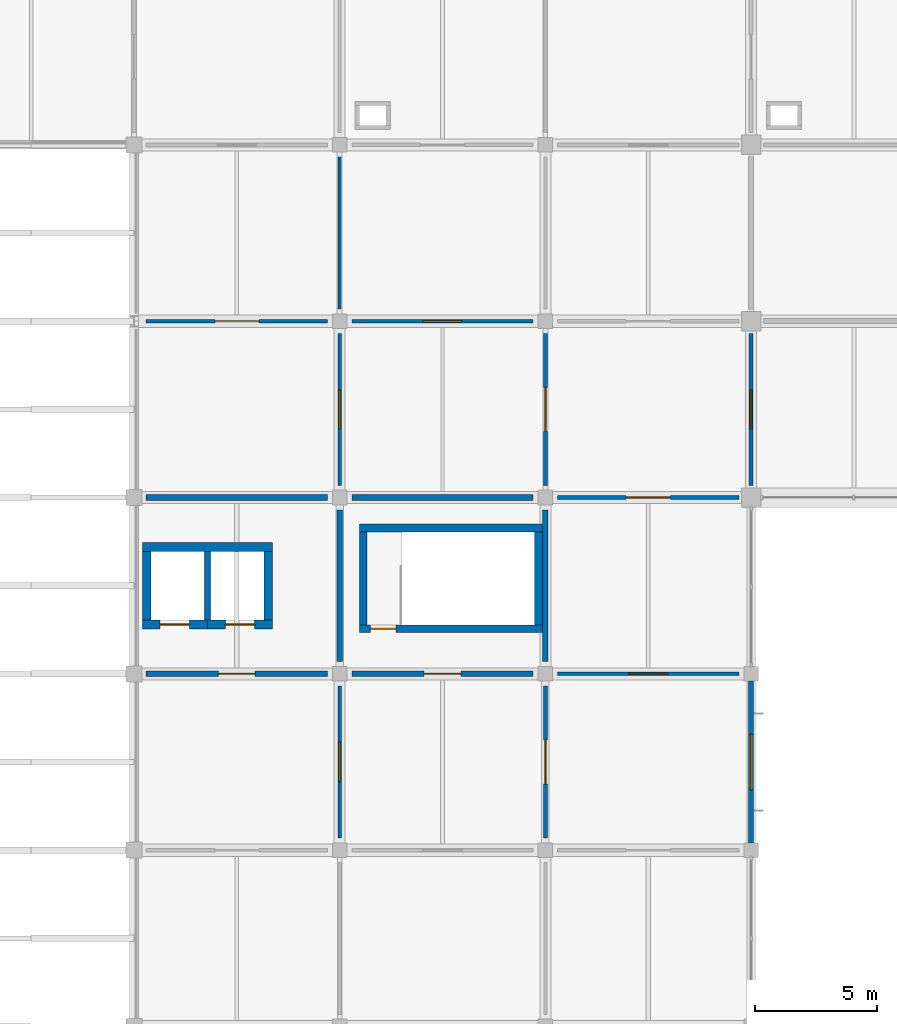
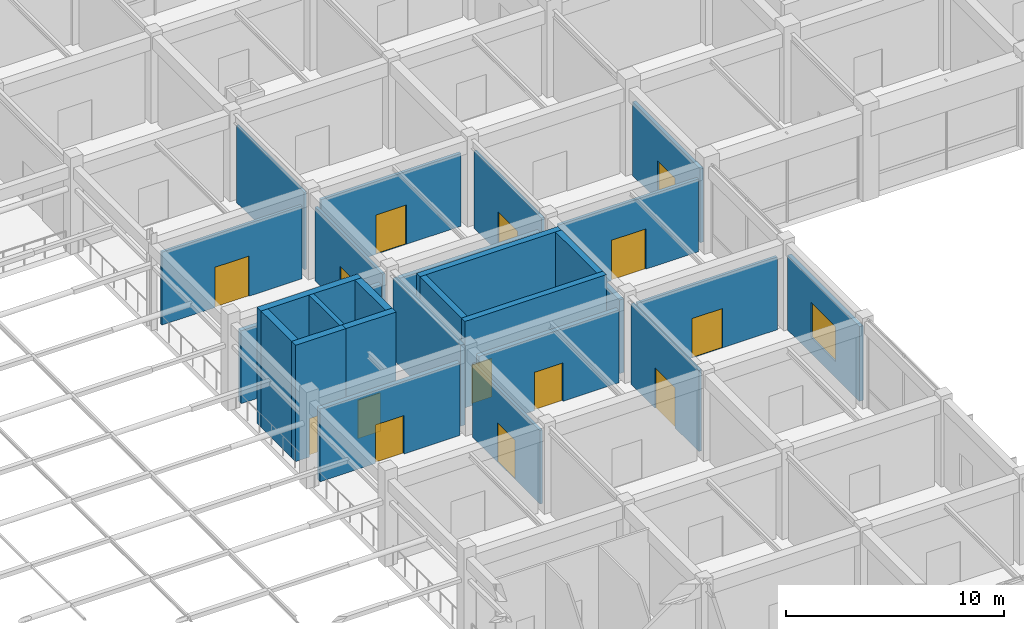
# One storey, part 25 of 38: 27 walls, 14 doors, 1 window, 15 openings.
"""IFC4 building model written with IfcOpenShell, lengths in metres."""

from ifc_helpers import new_model, si_unit, derived_unit, direction, frame, frame_2d, origin, place, context, subcontext, project, spatial, rectangle, extrude, material, layer, layer_set, type_object, element, fill, save


model = new_model("IFC4")

# Units and contexts
model_context = context("Model", 3, precision=1e-05, world=origin(), true_north=direction((0.0, 1.0)))
body_context = subcontext(model_context, "Body", "Model", "MODEL_VIEW")
ifc_project = project(units=[si_unit("LENGTHUNIT", "METRE"), si_unit("AREAUNIT", "SQUARE_METRE"), si_unit("VOLUMEUNIT", "CUBIC_METRE"), si_unit("PLANEANGLEUNIT", "RADIAN"), si_unit("MASSUNIT", "GRAM", prefix="KILO"), derived_unit("THERMALTRANSMITTANCEUNIT", [(si_unit("MASSUNIT", "GRAM", prefix="KILO"), 1), (si_unit("TIMEUNIT", "SECOND"), -3), (si_unit("THERMODYNAMICTEMPERATUREUNIT", "KELVIN"), -1)])], contexts=[model_context])

# Site, building, storey
site_placement = place(None, origin())
site = spatial("IfcSite", under=ifc_project, at=site_placement, CompositionType="ELEMENT")
building_placement = place(site_placement, origin())
building = spatial("IfcBuilding", under=site, at=building_placement, Name="Veldstrom Oceanarium and Marine Research Institute", CompositionType="ELEMENT")
storey_placement = place(building_placement, frame((0.0, 0.0, 16.800048828125)))
storey = spatial("IfcBuildingStorey", under=building, at=storey_placement, Name="L03", CompositionType="ELEMENT", Elevation=16.800048828125)

# Wall, opening, window
ifc_material_1 = material(Name="Masonry Cavity Wall", Category="masonry")
ifc_layer_1 = layer(ifc_material_1, 0.215087890625)
ifc_layer_set_1 = layer_set([ifc_layer_1], Name="ARC-WAL-EW6")
wall_type_1 = type_object("IfcWallType", Name="ARC-WAL-EW6", PredefinedType="SOLIDWALL", material=ifc_layer_set_1)
wall_1_placement = place(storey_placement, frame((67.199951171875, 29.10009765625, 0.0), z_axis=(0.0, 0.0, 1.0), x_axis=(0.0, 1.0, 0.0)))
wall_1 = element("IfcWall", 1, at=wall_1_placement, inside=storey, type_object=wall_type_1, Name="Exterior Facade Wall EW6 L03-159", PredefinedType="SOLIDWALL", context=body_context, shape_type="SweptSolid", body=[
    extrude(rectangle(XDim=6.599853515625, YDim=0.215087890625, at=frame_2d((3.2998046875, 0.0))), origin(), (0.0, 0.0, 1.0), 4.169921875),
])
opening_1_placement = place(wall_1_placement, frame((2.175048828125, 0.0, 0.89990234375)))
opening_1 = element("IfcOpeningElement", 2, at=opening_1_placement, cuts=wall_1, Name="Opening W21", PredefinedType="OPENING", context=body_context, shape_type="SweptSolid", body=[
    extrude(rectangle(XDim=2.25, YDim=1.949951171875, at=frame_2d((1.125, 0.97509765625))), frame((0.0, 0.117431640625, 0.0), z_axis=(0.0, -1.0, 0.0), x_axis=(1.0, 0.0, 0.0)), (0.0, 0.0, 1.0), 0.235107421875),
])
ifc_material_2 = material(Name="Double Glazed Low-E IGU", Category="glass")
window_type = type_object("IfcWindowType", Name="ARC-WIN-W21", PartitioningType="SINGLE_PANEL", PredefinedType="WINDOW", material=ifc_material_2)
window_placement = place(opening_1_placement, origin())
window = element("IfcWindow", 3, at=window_placement, inside=storey, type_object=window_type, Name="Facade Window W21 L03-0117", OverallHeight=1.949951171875, OverallWidth=2.25, PartitioningType="SINGLE_PANEL", PredefinedType="WINDOW", context=body_context, shape_type="SweptSolid", body=[
    extrude(rectangle(XDim=2.25, YDim=1.949951171875, at=frame_2d((1.125, 0.97509765625))), frame((0.0, 0.030029296875, 0.0), z_axis=(0.0, -1.0, 0.0), x_axis=(1.0, 0.0, 0.0)), (0.0, 0.0, 1.0), 0.06005859375),
])
fill(opening_1, window)

# Wall, opening, door
ifc_material_3 = material(Name="Masonry Fire Compartment Wall", Category="masonry")
ifc_layer_2 = layer(ifc_material_3, 0.22998046875)
ifc_layer_set_2 = layer_set([ifc_layer_2], Name="ARC-WAL-PT1")
wall_type_2 = type_object("IfcWallType", Name="ARC-WAL-PT1", PredefinedType="PARTITIONING", material=ifc_layer_set_2)
wall_2_placement = place(storey_placement, frame((42.5, 36.0, 0.0), z_axis=(0.0, 0.0, 1.0), x_axis=(1.0, 0.0, 0.0)))
wall_2 = element("IfcWall", 4, at=wall_2_placement, inside=storey, type_object=wall_type_2, Name="Interior Partition PT1 L03-1285", PredefinedType="PARTITIONING", context=body_context, shape_type="SweptSolid", body=[
    extrude(rectangle(XDim=7.39990234375, YDim=0.22998046875, at=frame_2d((3.699951171875, 0.0))), origin(), (0.0, 0.0, 1.0), 4.070068359375),
])
opening_2_placement = place(wall_2_placement, frame((2.949951171875, 0.0, 0.0)))
opening_2 = element("IfcOpeningElement", 5, at=opening_2_placement, cuts=wall_2, Name="Opening D-L03-756", PredefinedType="OPENING", context=body_context, shape_type="SweptSolid", body=[
    extrude(rectangle(XDim=1.5, YDim=2.14990234375, at=frame_2d((0.75, 1.074951171875))), frame((0.0, 0.125, 0.0), z_axis=(0.0, -1.0, 0.0), x_axis=(1.0, 0.0, 0.0)), (0.0, 0.0, 1.0), 0.25),
])
ifc_material_4 = material(Name="Painted Steel Lobby Fire Door", Category="steel")
door_type_1 = type_object("IfcDoorType", Name="ARC-DOR-SD2", OperationType="DOUBLE_DOOR_SINGLE_SWING", PredefinedType="DOOR", material=ifc_material_4)
door_1_placement = place(opening_2_placement, frame((1.5, 0.0, 0.0), z_axis=(0.0, 0.0, 1.0), x_axis=(-1.0, 0.0, 0.0)))
door_1 = element("IfcDoor", 6, at=door_1_placement, inside=storey, type_object=door_type_1, Name="Interior Door D-L03-756", OperationType="DOUBLE_DOOR_SINGLE_SWING", OverallHeight=2.14990234375, OverallWidth=1.5, PredefinedType="DOOR", context=body_context, shape_type="SweptSolid", body=[
    extrude(rectangle(XDim=1.5, YDim=2.14990234375, at=frame_2d((0.75, 1.074951171875))), frame((0.0, 0.02490234375, 0.0), z_axis=(0.0, -1.0, 0.0), x_axis=(1.0, 0.0, 0.0)), (0.0, 0.0, 1.0), 0.050048828125),
])
fill(opening_2, door_1)

# Walls
wall_3_placement = place(storey_placement, frame((50.39990234375, 36.5, 0.0), z_axis=(0.0, 0.0, 1.0), x_axis=(0.0, 1.0, 0.0)))
element("IfcWall", 7, at=wall_3_placement, inside=storey, type_object=wall_type_2, Name="Interior Partition PT1 L03-1286", PredefinedType="PARTITIONING", context=body_context, shape_type="SweptSolid", body=[
    extrude(rectangle(XDim=6.199951171875, YDim=0.22998046875, at=frame_2d((3.10009765625, 0.0))), origin(), (0.0, 0.0, 1.0), 4.530029296875),
])
wall_4_placement = place(storey_placement, frame((42.5, 43.199951171875, 0.0), z_axis=(0.0, 0.0, 1.0), x_axis=(1.0, 0.0, 0.0)))
element("IfcWall", 8, at=wall_4_placement, inside=storey, type_object=wall_type_2, Name="Interior Partition PT1 L03-1287", PredefinedType="PARTITIONING", context=body_context, shape_type="SweptSolid", body=[
    extrude(rectangle(XDim=7.39990234375, YDim=0.22998046875, at=frame_2d((3.699951171875, 0.0))), origin(), (0.0, 0.0, 1.0), 4.070068359375),
])

# Wall, opening, door
wall_5_placement = place(storey_placement, frame((50.89990234375, 36.0, 0.0), z_axis=(0.0, 0.0, 1.0), x_axis=(1.0, 0.0, 0.0)))
wall_5 = element("IfcWall", 9, at=wall_5_placement, inside=storey, type_object=wall_type_2, Name="Interior Partition PT1 L03-1302", PredefinedType="PARTITIONING", context=body_context, shape_type="SweptSolid", body=[
    extrude(rectangle(XDim=7.400146484375, YDim=0.22998046875, at=frame_2d((3.7001953125, 0.0))), origin(), (0.0, 0.0, 1.0), 4.070068359375),
])
opening_3_placement = place(wall_5_placement, frame((2.949951171875, 0.0, 0.0)))
opening_3 = element("IfcOpeningElement", 10, at=opening_3_placement, cuts=wall_5, Name="Opening D-L03-765", PredefinedType="OPENING", context=body_context, shape_type="SweptSolid", body=[
    extrude(rectangle(XDim=1.5, YDim=2.14990234375, at=frame_2d((0.75, 1.074951171875))), frame((0.0, 0.125, 0.0), z_axis=(0.0, -1.0, 0.0), x_axis=(1.0, 0.0, 0.0)), (0.0, 0.0, 1.0), 0.25),
])
door_2_placement = place(opening_3_placement, frame((1.5, 0.0, 0.0), z_axis=(0.0, 0.0, 1.0), x_axis=(-1.0, 0.0, 0.0)))
door_2 = element("IfcDoor", 11, at=door_2_placement, inside=storey, type_object=door_type_1, Name="Interior Door D-L03-765", OperationType="DOUBLE_DOOR_SINGLE_SWING", OverallHeight=2.14990234375, OverallWidth=1.5, PredefinedType="DOOR", context=body_context, shape_type="SweptSolid", body=[
    extrude(rectangle(XDim=1.5, YDim=2.14990234375, at=frame_2d((0.75, 1.074951171875))), frame((0.0, 0.02490234375, 0.0), z_axis=(0.0, -1.0, 0.0), x_axis=(1.0, 0.0, 0.0)), (0.0, 0.0, 1.0), 0.050048828125),
])
fill(opening_3, door_2)

# Walls
wall_6_placement = place(storey_placement, frame((58.800048828125, 36.5, 0.0), z_axis=(0.0, 0.0, 1.0), x_axis=(0.0, 1.0, 0.0)))
element("IfcWall", 12, at=wall_6_placement, inside=storey, type_object=wall_type_2, Name="Interior Partition PT1 L03-1303", PredefinedType="PARTITIONING", context=body_context, shape_type="SweptSolid", body=[
    extrude(rectangle(XDim=6.199951171875, YDim=0.22998046875, at=frame_2d((3.10009765625, 0.0))), origin(), (0.0, 0.0, 1.0), 4.119873046875),
])
wall_7_placement = place(storey_placement, frame((50.89990234375, 43.199951171875, 0.0), z_axis=(0.0, 0.0, 1.0), x_axis=(1.0, 0.0, 0.0)))
element("IfcWall", 13, at=wall_7_placement, inside=storey, type_object=wall_type_2, Name="Interior Partition PT1 L03-1304", PredefinedType="PARTITIONING", context=body_context, shape_type="SweptSolid", body=[
    extrude(rectangle(XDim=7.400146484375, YDim=0.22998046875, at=frame_2d((3.7001953125, 0.0))), origin(), (0.0, 0.0, 1.0), 4.070068359375),
])

# Wall, opening, door
ifc_material_5 = material(Name="Drywall Acoustic Partition", Category="gypsum")
ifc_layer_3 = layer(ifc_material_5, 0.175048828125)
ifc_layer_set_3 = layer_set([ifc_layer_3], Name="ARC-WAL-PT3")
wall_type_3 = type_object("IfcWallType", Name="ARC-WAL-PT3", PredefinedType="PARTITIONING", material=ifc_layer_set_3)
wall_8_placement = place(storey_placement, frame((67.199951171875, 43.699951171875, 0.0), z_axis=(0.0, 0.0, 1.0), x_axis=(0.0, 1.0, 0.0)))
wall_8 = element("IfcWall", 14, at=wall_8_placement, inside=storey, type_object=wall_type_3, Name="Interior Partition PT3 L03-1317", PredefinedType="PARTITIONING", context=body_context, shape_type="SweptSolid", body=[
    extrude(rectangle(XDim=6.199951171875, YDim=0.175048828125, at=frame_2d((3.10009765625, 0.0))), origin(), (0.0, 0.0, 1.0), 4.119873046875),
])
opening_4_placement = place(wall_8_placement, frame((2.300048828125, 0.0, 0.0)))
opening_4 = element("IfcOpeningElement", 15, at=opening_4_placement, cuts=wall_8, Name="Opening D-L03-775", PredefinedType="OPENING", context=body_context, shape_type="SweptSolid", body=[
    extrude(rectangle(XDim=1.60009765625, YDim=2.199951171875, at=frame_2d((0.800048828125, 1.10009765625))), frame((0.0, 0.097412109375, 0.0), z_axis=(0.0, -1.0, 0.0), x_axis=(1.0, 0.0, 0.0)), (0.0, 0.0, 1.0), 0.195068359375),
])
ifc_material_6 = material(Name="Acoustic Timber Corridor Door", Category="wood")
door_type_2 = type_object("IfcDoorType", Name="ARC-DOR-ID02", OperationType="DOUBLE_DOOR_SINGLE_SWING", PredefinedType="DOOR", material=ifc_material_6)
door_3_placement = place(opening_4_placement, frame((1.60009765625, 0.0, 0.0), z_axis=(0.0, 0.0, 1.0), x_axis=(-1.0, 0.0, 0.0)))
door_3 = element("IfcDoor", 16, at=door_3_placement, inside=storey, type_object=door_type_2, Name="Interior Door D-L03-775", OperationType="DOUBLE_DOOR_SINGLE_SWING", OverallHeight=2.199951171875, OverallWidth=1.60009765625, PredefinedType="DOOR", context=body_context, shape_type="SweptSolid", body=[
    extrude(rectangle(XDim=1.60009765625, YDim=2.199951171875, at=frame_2d((0.800048828125, 1.10009765625))), frame((0.0, 0.02490234375, 0.0), z_axis=(0.0, -1.0, 0.0), x_axis=(1.0, 0.0, 0.0)), (0.0, 0.0, 1.0), 0.050048828125),
])
fill(opening_4, door_3)

ifc_material_7 = material(Name="Drywall Corridor Partition", Category="gypsum")
ifc_layer_4 = layer(ifc_material_7, 0.155029296875)
ifc_layer_set_4 = layer_set([ifc_layer_4], Name="ARC-WAL-PT4")
wall_type_4 = type_object("IfcWallType", Name="ARC-WAL-PT4", PredefinedType="PARTITIONING", material=ifc_layer_set_4)
wall_9_placement = place(storey_placement, frame((58.800048828125, 29.300048828125, 0.0), z_axis=(0.0, 0.0, 1.0), x_axis=(0.0, 1.0, 0.0)))
wall_9 = element("IfcWall", 17, at=wall_9_placement, inside=storey, type_object=wall_type_4, Name="Interior Partition PT4 L03-1301", PredefinedType="PARTITIONING", context=body_context, shape_type="SweptSolid", body=[
    extrude(rectangle(XDim=6.199951171875, YDim=0.155029296875, at=frame_2d((3.10009765625, 0.0))), origin(), (0.0, 0.0, 1.0), 4.530029296875),
])
opening_5_placement = place(wall_9_placement, frame((2.199951171875, 0.0, 0.0)))
opening_5 = element("IfcOpeningElement", 18, at=opening_5_placement, cuts=wall_9, Name="Opening D-L03-764", PredefinedType="OPENING", context=body_context, shape_type="SweptSolid", body=[
    extrude(rectangle(XDim=1.800048828125, YDim=2.25, at=frame_2d((0.89990234375, 1.125))), frame((0.0, 0.08740234375, 0.0), z_axis=(0.0, -1.0, 0.0), x_axis=(1.0, 0.0, 0.0)), (0.0, 0.0, 1.0), 0.175048828125),
])
ifc_material_8 = material(Name="Acoustic Timber Gallery Door", Category="wood")
door_type_3 = type_object("IfcDoorType", Name="ARC-DOR-ID01", OperationType="DOUBLE_DOOR_SINGLE_SWING", PredefinedType="DOOR", material=ifc_material_8)
door_4_placement = place(opening_5_placement, origin())
door_4 = element("IfcDoor", 19, at=door_4_placement, inside=storey, type_object=door_type_3, Name="Interior Door D-L03-764", OperationType="DOUBLE_DOOR_SINGLE_SWING", OverallHeight=2.25, OverallWidth=1.800048828125, PredefinedType="DOOR", context=body_context, shape_type="SweptSolid", body=[
    extrude(rectangle(XDim=1.800048828125, YDim=2.25, at=frame_2d((0.89990234375, 1.125))), frame((0.0, 0.02490234375, 0.0), z_axis=(0.0, -1.0, 0.0), x_axis=(1.0, 0.0, 0.0)), (0.0, 0.0, 1.0), 0.050048828125),
])
fill(opening_5, door_4)

wall_10_placement = place(storey_placement, frame((58.800048828125, 43.699951171875, 0.0), z_axis=(0.0, 0.0, 1.0), x_axis=(0.0, 1.0, 0.0)))
wall_10 = element("IfcWall", 20, at=wall_10_placement, inside=storey, type_object=wall_type_4, Name="Interior Partition PT4 L03-1305", PredefinedType="PARTITIONING", context=body_context, shape_type="SweptSolid", body=[
    extrude(rectangle(XDim=6.199951171875, YDim=0.155029296875, at=frame_2d((3.10009765625, 0.0))), origin(), (0.0, 0.0, 1.0), 4.320068359375),
])
opening_6_placement = place(wall_10_placement, frame((2.199951171875, 0.0, 0.0)))
opening_6 = element("IfcOpeningElement", 21, at=opening_6_placement, cuts=wall_10, Name="Opening D-L03-766", PredefinedType="OPENING", context=body_context, shape_type="SweptSolid", body=[
    extrude(rectangle(XDim=1.800048828125, YDim=2.25, at=frame_2d((0.89990234375, 1.125))), frame((0.0, 0.08740234375, 0.0), z_axis=(0.0, -1.0, 0.0), x_axis=(1.0, 0.0, 0.0)), (0.0, 0.0, 1.0), 0.175048828125),
])
door_5_placement = place(opening_6_placement, origin())
door_5 = element("IfcDoor", 22, at=door_5_placement, inside=storey, type_object=door_type_3, Name="Interior Door D-L03-766", OperationType="DOUBLE_DOOR_SINGLE_SWING", OverallHeight=2.25, OverallWidth=1.800048828125, PredefinedType="DOOR", context=body_context, shape_type="SweptSolid", body=[
    extrude(rectangle(XDim=1.800048828125, YDim=2.25, at=frame_2d((0.89990234375, 1.125))), frame((0.0, 0.02490234375, 0.0), z_axis=(0.0, -1.0, 0.0), x_axis=(1.0, 0.0, 0.0)), (0.0, 0.0, 1.0), 0.050048828125),
])
fill(opening_6, door_5)

wall_11_placement = place(storey_placement, frame((50.89990234375, 50.39990234375, 0.0), z_axis=(0.0, 0.0, 1.0), x_axis=(1.0, 0.0, 0.0)))
wall_11 = element("IfcWall", 23, at=wall_11_placement, inside=storey, type_object=wall_type_4, Name="Interior Partition PT4 L03-1306", PredefinedType="PARTITIONING", context=body_context, shape_type="SweptSolid", body=[
    extrude(rectangle(XDim=7.400146484375, YDim=0.155029296875, at=frame_2d((3.7001953125, 0.0))), origin(), (0.0, 0.0, 1.0), 4.070068359375),
])
opening_7_placement = place(wall_11_placement, frame((2.89990234375, 0.0, 0.0)))
opening_7 = element("IfcOpeningElement", 24, at=opening_7_placement, cuts=wall_11, Name="Opening D-L03-767", PredefinedType="OPENING", context=body_context, shape_type="SweptSolid", body=[
    extrude(rectangle(XDim=1.60009765625, YDim=2.199951171875, at=frame_2d((0.800048828125, 1.10009765625))), frame((0.0, 0.08740234375, 0.0), z_axis=(0.0, -1.0, 0.0), x_axis=(1.0, 0.0, 0.0)), (0.0, 0.0, 1.0), 0.175048828125),
])
door_6_placement = place(opening_7_placement, frame((1.60009765625, 0.0, 0.0), z_axis=(0.0, 0.0, 1.0), x_axis=(-1.0, 0.0, 0.0)))
door_6 = element("IfcDoor", 25, at=door_6_placement, inside=storey, type_object=door_type_2, Name="Interior Door D-L03-767", OperationType="DOUBLE_DOOR_SINGLE_SWING", OverallHeight=2.199951171875, OverallWidth=1.60009765625, PredefinedType="DOOR", context=body_context, shape_type="SweptSolid", body=[
    extrude(rectangle(XDim=1.60009765625, YDim=2.199951171875, at=frame_2d((0.800048828125, 1.10009765625))), frame((0.0, 0.02490234375, 0.0), z_axis=(0.0, -1.0, 0.0), x_axis=(1.0, 0.0, 0.0)), (0.0, 0.0, 1.0), 0.050048828125),
])
fill(opening_7, door_6)

wall_12_placement = place(storey_placement, frame((59.300048828125, 43.199951171875, 0.0), z_axis=(0.0, 0.0, 1.0), x_axis=(1.0, 0.0, 0.0)))
wall_12 = element("IfcWall", 26, at=wall_12_placement, inside=storey, type_object=wall_type_4, Name="Interior Partition PT4 L03-1316", PredefinedType="PARTITIONING", context=body_context, shape_type="SweptSolid", body=[
    extrude(rectangle(XDim=7.39990234375, YDim=0.155029296875, at=frame_2d((3.699951171875, 0.0))), origin(), (0.0, 0.0, 1.0), 4.070068359375),
])
opening_8_placement = place(wall_12_placement, frame((2.800048828125, 0.0, 0.0)))
opening_8 = element("IfcOpeningElement", 27, at=opening_8_placement, cuts=wall_12, Name="Opening D-L03-774", PredefinedType="OPENING", context=body_context, shape_type="SweptSolid", body=[
    extrude(rectangle(XDim=1.800048828125, YDim=2.25, at=frame_2d((0.89990234375, 1.125))), frame((0.0, 0.08740234375, 0.0), z_axis=(0.0, -1.0, 0.0), x_axis=(1.0, 0.0, 0.0)), (0.0, 0.0, 1.0), 0.175048828125),
])
door_7_placement = place(opening_8_placement, frame((1.800048828125, 0.0, 0.0), z_axis=(0.0, 0.0, 1.0), x_axis=(-1.0, 0.0, 0.0)))
door_7 = element("IfcDoor", 28, at=door_7_placement, inside=storey, type_object=door_type_3, Name="Interior Door D-L03-774", OperationType="DOUBLE_DOOR_SINGLE_SWING", OverallHeight=2.25, OverallWidth=1.800048828125, PredefinedType="DOOR", context=body_context, shape_type="SweptSolid", body=[
    extrude(rectangle(XDim=1.800048828125, YDim=2.25, at=frame_2d((0.89990234375, 1.125))), frame((0.0, 0.02490234375, 0.0), z_axis=(0.0, -1.0, 0.0), x_axis=(1.0, 0.0, 0.0)), (0.0, 0.0, 1.0), 0.050048828125),
])
fill(opening_8, door_7)

ifc_material_9 = material(Name="Moisture-Resistant Wet-Area Partition", Category="masonry")
ifc_layer_5 = layer(ifc_material_9, 0.139892578125)
ifc_layer_set_5 = layer_set([ifc_layer_5], Name="ARC-WAL-PT5")
wall_type_5 = type_object("IfcWallType", Name="ARC-WAL-PT5", PredefinedType="PARTITIONING", material=ifc_layer_set_5)
wall_13_placement = place(storey_placement, frame((50.39990234375, 29.300048828125, 0.0), z_axis=(0.0, 0.0, 1.0), x_axis=(0.0, 1.0, 0.0)))
wall_13 = element("IfcWall", 29, at=wall_13_placement, inside=storey, type_object=wall_type_5, Name="Interior Partition PT5 L03-1284", PredefinedType="PARTITIONING", context=body_context, shape_type="SweptSolid", body=[
    extrude(rectangle(XDim=6.199951171875, YDim=0.139892578125, at=frame_2d((3.10009765625, 0.0))), origin(), (0.0, 0.0, 1.0), 4.119873046875),
])
opening_9_placement = place(wall_13_placement, frame((2.300048828125, 0.0, 0.0)))
opening_9 = element("IfcOpeningElement", 30, at=opening_9_placement, cuts=wall_13, Name="Opening D-L03-755", PredefinedType="OPENING", context=body_context, shape_type="SweptSolid", body=[
    extrude(rectangle(XDim=1.60009765625, YDim=2.199951171875, at=frame_2d((0.800048828125, 1.10009765625))), frame((0.0, 0.079833984375, 0.0), z_axis=(0.0, -1.0, 0.0), x_axis=(1.0, 0.0, 0.0)), (0.0, 0.0, 1.0), 0.159912109375),
])
door_8_placement = place(opening_9_placement, frame((1.60009765625, 0.0, 0.0), z_axis=(0.0, 0.0, 1.0), x_axis=(-1.0, 0.0, 0.0)))
door_8 = element("IfcDoor", 31, at=door_8_placement, inside=storey, type_object=door_type_2, Name="Interior Door D-L03-755", OperationType="DOUBLE_DOOR_SINGLE_SWING", OverallHeight=2.199951171875, OverallWidth=1.60009765625, PredefinedType="DOOR", context=body_context, shape_type="SweptSolid", body=[
    extrude(rectangle(XDim=1.60009765625, YDim=2.199951171875, at=frame_2d((0.800048828125, 1.10009765625))), frame((0.0, 0.02490234375, 0.0), z_axis=(0.0, -1.0, 0.0), x_axis=(1.0, 0.0, 0.0)), (0.0, 0.0, 1.0), 0.050048828125),
])
fill(opening_9, door_8)

wall_14_placement = place(storey_placement, frame((50.39990234375, 43.699951171875, 0.0), z_axis=(0.0, 0.0, 1.0), x_axis=(0.0, 1.0, 0.0)))
wall_14 = element("IfcWall", 32, at=wall_14_placement, inside=storey, type_object=wall_type_5, Name="Interior Partition PT5 L03-1288", PredefinedType="PARTITIONING", context=body_context, shape_type="SweptSolid", body=[
    extrude(rectangle(XDim=6.199951171875, YDim=0.139892578125, at=frame_2d((3.10009765625, 0.0))), origin(), (0.0, 0.0, 1.0), 4.119873046875),
])
opening_10_placement = place(wall_14_placement, frame((2.300048828125, 0.0, 0.0)))
opening_10 = element("IfcOpeningElement", 33, at=opening_10_placement, cuts=wall_14, Name="Opening D-L03-757", PredefinedType="OPENING", context=body_context, shape_type="SweptSolid", body=[
    extrude(rectangle(XDim=1.60009765625, YDim=2.199951171875, at=frame_2d((0.800048828125, 1.10009765625))), frame((0.0, 0.079833984375, 0.0), z_axis=(0.0, -1.0, 0.0), x_axis=(1.0, 0.0, 0.0)), (0.0, 0.0, 1.0), 0.159912109375),
])
door_9_placement = place(opening_10_placement, frame((1.60009765625, 0.0, 0.0), z_axis=(0.0, 0.0, 1.0), x_axis=(-1.0, 0.0, 0.0)))
door_9 = element("IfcDoor", 34, at=door_9_placement, inside=storey, type_object=door_type_2, Name="Interior Door D-L03-757", OperationType="DOUBLE_DOOR_SINGLE_SWING", OverallHeight=2.199951171875, OverallWidth=1.60009765625, PredefinedType="DOOR", context=body_context, shape_type="SweptSolid", body=[
    extrude(rectangle(XDim=1.60009765625, YDim=2.199951171875, at=frame_2d((0.800048828125, 1.10009765625))), frame((0.0, 0.02490234375, 0.0), z_axis=(0.0, -1.0, 0.0), x_axis=(1.0, 0.0, 0.0)), (0.0, 0.0, 1.0), 0.050048828125),
])
fill(opening_10, door_9)

wall_15_placement = place(storey_placement, frame((42.5, 50.39990234375, 0.0), z_axis=(0.0, 0.0, 1.0), x_axis=(1.0, 0.0, 0.0)))
wall_15 = element("IfcWall", 35, at=wall_15_placement, inside=storey, type_object=wall_type_5, Name="Interior Partition PT5 L03-1289", PredefinedType="PARTITIONING", context=body_context, shape_type="SweptSolid", body=[
    extrude(rectangle(XDim=7.39990234375, YDim=0.139892578125, at=frame_2d((3.699951171875, 0.0))), origin(), (0.0, 0.0, 1.0), 4.070068359375),
])
opening_11_placement = place(wall_15_placement, frame((2.800048828125, 0.0, 0.0)))
opening_11 = element("IfcOpeningElement", 36, at=opening_11_placement, cuts=wall_15, Name="Opening D-L03-758", PredefinedType="OPENING", context=body_context, shape_type="SweptSolid", body=[
    extrude(rectangle(XDim=1.800048828125, YDim=2.25, at=frame_2d((0.89990234375, 1.125))), frame((0.0, 0.079833984375, 0.0), z_axis=(0.0, -1.0, 0.0), x_axis=(1.0, 0.0, 0.0)), (0.0, 0.0, 1.0), 0.159912109375),
])
door_10_placement = place(opening_11_placement, origin())
door_10 = element("IfcDoor", 37, at=door_10_placement, inside=storey, type_object=door_type_3, Name="Interior Door D-L03-758", OperationType="DOUBLE_DOOR_SINGLE_SWING", OverallHeight=2.25, OverallWidth=1.800048828125, PredefinedType="DOOR", context=body_context, shape_type="SweptSolid", body=[
    extrude(rectangle(XDim=1.800048828125, YDim=2.25, at=frame_2d((0.89990234375, 1.125))), frame((0.0, 0.02490234375, 0.0), z_axis=(0.0, -1.0, 0.0), x_axis=(1.0, 0.0, 0.0)), (0.0, 0.0, 1.0), 0.050048828125),
])
fill(opening_11, door_10)

wall_16_placement = place(storey_placement, frame((59.300048828125, 36.0, 0.0), z_axis=(0.0, 0.0, 1.0), x_axis=(1.0, 0.0, 0.0)))
wall_16 = element("IfcWall", 38, at=wall_16_placement, inside=storey, type_object=wall_type_5, Name="Interior Partition PT5 L03-1315", PredefinedType="PARTITIONING", context=body_context, shape_type="SweptSolid", body=[
    extrude(rectangle(XDim=7.39990234375, YDim=0.139892578125, at=frame_2d((3.699951171875, 0.0))), origin(), (0.0, 0.0, 1.0), 4.070068359375),
])
opening_12_placement = place(wall_16_placement, frame((2.89990234375, 0.0, 0.0)))
opening_12 = element("IfcOpeningElement", 39, at=opening_12_placement, cuts=wall_16, Name="Opening D-L03-773", PredefinedType="OPENING", context=body_context, shape_type="SweptSolid", body=[
    extrude(rectangle(XDim=1.60009765625, YDim=2.199951171875, at=frame_2d((0.800048828125, 1.10009765625))), frame((0.0, 0.079833984375, 0.0), z_axis=(0.0, -1.0, 0.0), x_axis=(1.0, 0.0, 0.0)), (0.0, 0.0, 1.0), 0.159912109375),
])
door_11_placement = place(opening_12_placement, origin())
door_11 = element("IfcDoor", 40, at=door_11_placement, inside=storey, type_object=door_type_2, Name="Interior Door D-L03-773", OperationType="DOUBLE_DOOR_SINGLE_SWING", OverallHeight=2.199951171875, OverallWidth=1.60009765625, PredefinedType="DOOR", context=body_context, shape_type="SweptSolid", body=[
    extrude(rectangle(XDim=1.60009765625, YDim=2.199951171875, at=frame_2d((0.800048828125, 1.10009765625))), frame((0.0, 0.02490234375, 0.0), z_axis=(0.0, -1.0, 0.0), x_axis=(1.0, 0.0, 0.0)), (0.0, 0.0, 1.0), 0.050048828125),
])
fill(opening_12, door_11)

# Walls
ifc_material_10 = material(Name="Lightweight Studio Partition", Category="gypsum")
ifc_layer_6 = layer(ifc_material_10, 0.1201171875)
ifc_layer_set_6 = layer_set([ifc_layer_6], Name="ARC-WAL-PT6")
wall_type_6 = type_object("IfcWallType", Name="ARC-WAL-PT6", PredefinedType="PARTITIONING", material=ifc_layer_set_6)
wall_17_placement = place(storey_placement, frame((50.39990234375, 50.89990234375, 0.0), z_axis=(0.0, 0.0, 1.0), x_axis=(0.0, 1.0, 0.0)))
element("IfcWall", 41, at=wall_17_placement, inside=storey, type_object=wall_type_6, Name="Interior Partition PT6 L03-1290", PredefinedType="PARTITIONING", context=body_context, shape_type="SweptSolid", body=[
    extrude(rectangle(XDim=6.2001953125, YDim=0.1201171875, at=frame_2d((3.10009765625, 0.0))), origin(), (0.0, 0.0, 1.0), 4.320068359375),
])
ifc_material_11 = material(Name="Concrete C40/50", Category="concrete")
ifc_layer_7 = layer(ifc_material_11, 0.360107421875)
ifc_layer_set_7 = layer_set([ifc_layer_7], Name="STR-WAL-WC2")
wall_type_7 = type_object("IfcWallType", Name="STR-WAL-WC2", PredefinedType="SHEAR", material=ifc_layer_set_7)
wall_18_placement = place(storey_placement, frame((42.340087890625, 41.179931640625, 0.0), z_axis=(0.0, 0.0, 1.0), x_axis=(1.0, 0.0, 0.0)))
element("IfcWall", 42, at=wall_18_placement, inside=storey, type_object=wall_type_7, Name="Lift Shaft Shear Wall N L03 5/5", PredefinedType="SHEAR", context=body_context, shape_type="SweptSolid", body=[
    extrude(rectangle(XDim=5.31982421875, YDim=0.360107421875, at=frame_2d((2.659912109375, 0.0))), origin(), (0.0, 0.0, 1.0), 6.5),
])

# Wall, opening, door
wall_19_placement = place(storey_placement, frame((42.340087890625, 38.02001953125, 0.0), z_axis=(0.0, 0.0, 1.0), x_axis=(1.0, 0.0, 0.0)))
wall_19 = element("IfcWall", 43, at=wall_19_placement, inside=storey, type_object=wall_type_7, Name="Lift Shaft Front Shear Wall LP4 L03", PredefinedType="SHEAR", context=body_context, shape_type="SweptSolid", body=[
    extrude(rectangle(XDim=2.659912109375, YDim=0.360107421875, at=frame_2d((1.330078125, 0.0))), origin(), (0.0, 0.0, 1.0), 6.5),
])
opening_13_placement = place(wall_19_placement, frame((0.72998046875, 0.0, 0.0)))
opening_13 = element("IfcOpeningElement", 44, at=opening_13_placement, cuts=wall_19, Name="Opening LD-LP4-L03", PredefinedType="OPENING", context=body_context, shape_type="SweptSolid", body=[
    extrude(rectangle(XDim=1.199951171875, YDim=2.14990234375, at=frame_2d((0.60009765625, 1.074951171875))), frame((0.0, 0.18994140625, 0.0), z_axis=(0.0, -1.0, 0.0), x_axis=(1.0, 0.0, 0.0)), (0.0, 0.0, 1.0), 0.380126953125),
])
ifc_material_12 = material(Name="Stainless Steel Lift Landing Door", Category="steel")
door_type_4 = type_object("IfcDoorType", Name="ARC-DOR-LD2", OperationType="DOUBLE_DOOR_SLIDING", PredefinedType="DOOR", material=ifc_material_12)
door_12_placement = place(opening_13_placement, origin())
door_12 = element("IfcDoor", 45, at=door_12_placement, inside=storey, type_object=door_type_4, Name="Lift Landing Door LD-LP4-L03", OperationType="DOUBLE_DOOR_SLIDING", OverallHeight=2.14990234375, OverallWidth=1.199951171875, PredefinedType="DOOR", context=body_context, shape_type="SweptSolid", body=[
    extrude(rectangle(XDim=1.199951171875, YDim=2.14990234375, at=frame_2d((0.60009765625, 1.074951171875))), frame((0.0, 0.02490234375, 0.0), z_axis=(0.0, -1.0, 0.0), x_axis=(1.0, 0.0, 0.0)), (0.0, 0.0, 1.0), 0.050048828125),
])
fill(opening_13, door_12)

wall_20_placement = place(storey_placement, frame((45.0, 38.02001953125, 0.0), z_axis=(0.0, 0.0, 1.0), x_axis=(1.0, 0.0, 0.0)))
wall_20 = element("IfcWall", 46, at=wall_20_placement, inside=storey, type_object=wall_type_7, Name="Lift Shaft Front Shear Wall LP5 L03", PredefinedType="SHEAR", context=body_context, shape_type="SweptSolid", body=[
    extrude(rectangle(XDim=2.659912109375, YDim=0.360107421875, at=frame_2d((1.330078125, 0.0))), origin(), (0.0, 0.0, 1.0), 6.5),
])
opening_14_placement = place(wall_20_placement, frame((0.72998046875, 0.0, 0.0)))
opening_14 = element("IfcOpeningElement", 47, at=opening_14_placement, cuts=wall_20, Name="Opening LD-LP5-L03", PredefinedType="OPENING", context=body_context, shape_type="SweptSolid", body=[
    extrude(rectangle(XDim=1.199951171875, YDim=2.14990234375, at=frame_2d((0.60009765625, 1.074951171875))), frame((0.0, 0.18994140625, 0.0), z_axis=(0.0, -1.0, 0.0), x_axis=(1.0, 0.0, 0.0)), (0.0, 0.0, 1.0), 0.380126953125),
])
door_13_placement = place(opening_14_placement, origin())
door_13 = element("IfcDoor", 48, at=door_13_placement, inside=storey, type_object=door_type_4, Name="Lift Landing Door LD-LP5-L03", OperationType="DOUBLE_DOOR_SLIDING", OverallHeight=2.14990234375, OverallWidth=1.199951171875, PredefinedType="DOOR", context=body_context, shape_type="SweptSolid", body=[
    extrude(rectangle(XDim=1.199951171875, YDim=2.14990234375, at=frame_2d((0.60009765625, 1.074951171875))), frame((0.0, 0.02490234375, 0.0), z_axis=(0.0, -1.0, 0.0), x_axis=(1.0, 0.0, 0.0)), (0.0, 0.0, 1.0), 0.050048828125),
])
fill(opening_14, door_13)

# Walls
for number, where, z_axis, x_axis, name in (
    (49, (42.52001953125, 38.199951171875, 0.0), (0.0, 0.0, 1.0), (0.0, 1.0, 0.0), "Lift Shaft Shear Wall W L03 5/5"),
    (50, (47.47998046875, 38.199951171875, 0.0), (0.0, 0.0, 1.0), (0.0, 1.0, 0.0), "Lift Shaft Shear Wall E L03 5/5"),
):
    element("IfcWall", number, at=place(storey_placement, frame(where, z_axis=z_axis, x_axis=x_axis)), inside=storey, type_object=wall_type_7, Name=name, PredefinedType="SHEAR", context=body_context, shape_type="SweptSolid", body=[
        extrude(rectangle(XDim=2.800048828125, YDim=0.360107421875, at=frame_2d((1.39990234375, 0.0))), origin(), (0.0, 0.0, 1.0), 6.5),
    ])

# Wall, opening, door
ifc_material_13 = material(Name="Concrete C40/50", Category="concrete")
ifc_layer_8 = layer(ifc_material_13, 0.320068359375)
ifc_layer_set_8 = layer_set([ifc_layer_8], Name="STR-WAL-WC3")
wall_type_8 = type_object("IfcWallType", Name="STR-WAL-WC3", PredefinedType="SHEAR", material=ifc_layer_set_8)
wall_21_placement = place(storey_placement, frame((51.199951171875, 37.840087890625, 0.0), z_axis=(0.0, 0.0, 1.0), x_axis=(1.0, 0.0, 0.0)))
wall_21 = element("IfcWall", 51, at=wall_21_placement, inside=storey, type_object=wall_type_8, Name="Stair Core Shear Wall SC5-L03-S", PredefinedType="SHEAR", context=body_context, shape_type="SweptSolid", body=[
    extrude(rectangle(XDim=7.47998046875, YDim=0.320068359375, at=frame_2d((3.739990234375, 0.0))), origin(), (0.0, 0.0, 1.0), 4.824951171875),
])
opening_15_placement = place(wall_21_placement, frame((0.449951171875, 0.0, 0.0)))
opening_15 = element("IfcOpeningElement", 52, at=opening_15_placement, cuts=wall_21, Name="Opening D-ST5-L03", PredefinedType="OPENING", context=body_context, shape_type="SweptSolid", body=[
    extrude(rectangle(XDim=1.050048828125, YDim=2.14990234375, at=frame_2d((0.52490234375, 1.074951171875))), frame((0.0, 0.169921875, 0.0), z_axis=(0.0, -1.0, 0.0), x_axis=(1.0, 0.0, 0.0)), (0.0, 0.0, 1.0), 0.340087890625),
])
ifc_material_14 = material(Name="Painted Steel Fire Door", Category="steel")
door_type_5 = type_object("IfcDoorType", Name="ARC-DOR-SD1", OperationType="SINGLE_SWING_LEFT", PredefinedType="DOOR", material=ifc_material_14)
door_14_placement = place(opening_15_placement, origin())
door_14 = element("IfcDoor", 53, at=door_14_placement, inside=storey, type_object=door_type_5, Name="Escape Stair Fire Door D-ST5-L03", OperationType="SINGLE_SWING_LEFT", OverallHeight=2.14990234375, OverallWidth=1.050048828125, PredefinedType="DOOR", context=body_context, shape_type="SweptSolid", body=[
    extrude(rectangle(XDim=1.050048828125, YDim=2.14990234375, at=frame_2d((0.52490234375, 1.074951171875))), frame((0.0, 0.02490234375, 0.0), z_axis=(0.0, -1.0, 0.0), x_axis=(1.0, 0.0, 0.0)), (0.0, 0.0, 1.0), 0.050048828125),
])
fill(opening_15, door_14)

# Walls
wall_22_placement = place(storey_placement, frame((51.199951171875, 41.9599609375, 0.0), z_axis=(0.0, 0.0, 1.0), x_axis=(1.0, 0.0, 0.0)))
element("IfcWall", 54, at=wall_22_placement, inside=storey, type_object=wall_type_8, Name="Stair Core Shear Wall SC5-L03-N", PredefinedType="SHEAR", context=body_context, shape_type="SweptSolid", body=[
    extrude(rectangle(XDim=7.47998046875, YDim=0.320068359375, at=frame_2d((3.739990234375, 0.0))), origin(), (0.0, 0.0, 1.0), 4.824951171875),
])
for number, where, z_axis, x_axis, name in (
    (55, (51.360107421875, 38.0, 0.0), (0.0, 0.0, 1.0), (0.0, 1.0, 0.0), "Stair Core Shear Wall SC5-L03-W"),
    (56, (58.52001953125, 38.0, 0.0), (0.0, 0.0, 1.0), (0.0, 1.0, 0.0), "Stair Core Shear Wall SC5-L03-E"),
):
    element("IfcWall", number, at=place(storey_placement, frame(where, z_axis=z_axis, x_axis=x_axis)), inside=storey, type_object=wall_type_8, Name=name, PredefinedType="SHEAR", context=body_context, shape_type="SweptSolid", body=[
        extrude(rectangle(XDim=3.800048828125, YDim=0.320068359375, at=frame_2d((1.89990234375, 0.0))), origin(), (0.0, 0.0, 1.0), 4.824951171875),
    ])
ifc_material_15 = material(Name="Concrete C40/50", Category="concrete")
ifc_layer_9 = layer(ifc_material_15, 0.239990234375)
ifc_layer_set_9 = layer_set([ifc_layer_9], Name="STR-WAL-WC4")
wall_type_9 = type_object("IfcWallType", Name="STR-WAL-WC4", PredefinedType="SHEAR", material=ifc_layer_set_9)
wall_23_placement = place(storey_placement, frame((45.0, 38.199951171875, 0.0), z_axis=(0.0, 0.0, 1.0), x_axis=(0.0, 1.0, 0.0)))
element("IfcWall", 57, at=wall_23_placement, inside=storey, type_object=wall_type_9, Name="Lift Shaft Divider Wall L03 5/5-1", PredefinedType="SHEAR", context=body_context, shape_type="SweptSolid", body=[
    extrude(rectangle(XDim=2.800048828125, YDim=0.239990234375, at=frame_2d((1.39990234375, 0.0))), origin(), (0.0, 0.0, 1.0), 6.5),
])

save(model, "model.ifc")
